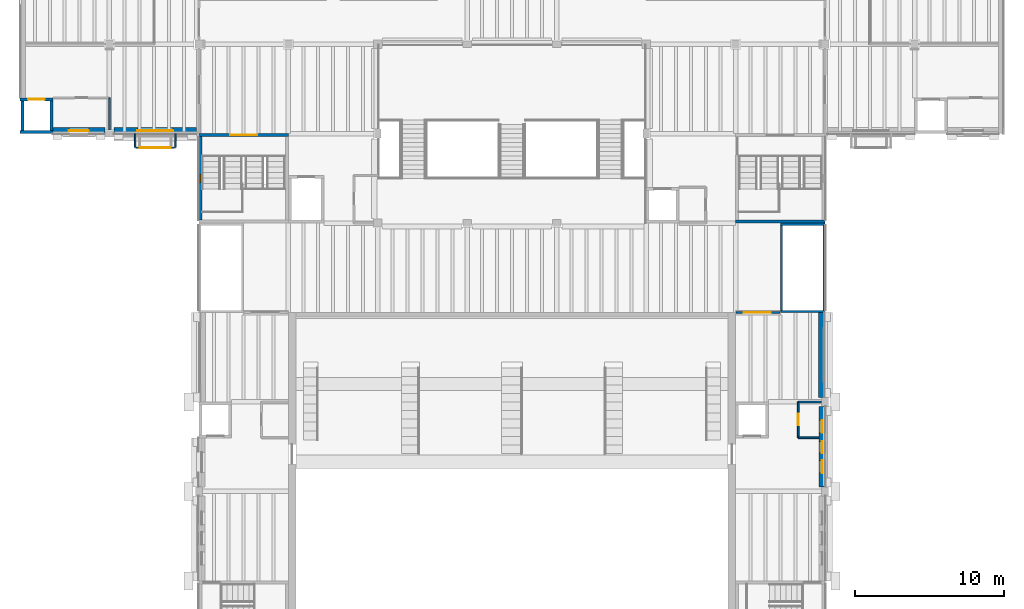
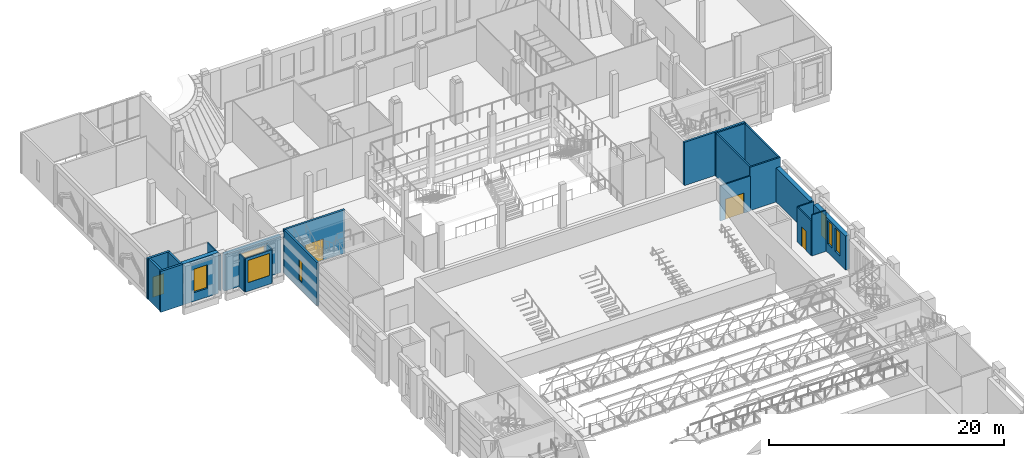
# One storey, part 30 of 70: 23 walls, 7 windows, 4 doors, 11 openings.
"""IFC4 building model written with IfcOpenShell, lengths in metres."""

from ifc_helpers import new_model, si_unit, direction, frame, frame_2d, origin, place, context, subcontext, project, spatial, rectangle, extrude, material, layer, layer_set, type_object, element, fill, save


model = new_model("IFC4")

# Units and contexts
model_context = context("Model", 3, precision=1e-05, world=origin(), true_north=direction((0.0, 1.0)))
body_context = subcontext(model_context, "Body", "Model", "MODEL_VIEW")
ifc_project = project(units=[si_unit("LENGTHUNIT", "METRE"), si_unit("AREAUNIT", "SQUARE_METRE"), si_unit("VOLUMEUNIT", "CUBIC_METRE"), si_unit("PLANEANGLEUNIT", "RADIAN"), si_unit("MASSUNIT", "GRAM", prefix="KILO")], contexts=[model_context])

# Site, building, storey
site_placement = place(None, origin())
site = spatial("IfcSite", under=ifc_project, at=site_placement, CompositionType="ELEMENT")
building_placement = place(site_placement, origin())
building = spatial("IfcBuilding", under=site, at=building_placement, Name="Saffron Lane Theatres", CompositionType="ELEMENT")
storey_placement = place(building_placement, frame((0.0, 0.0, 12.0)))
storey = spatial("IfcBuildingStorey", under=building, at=storey_placement, Name="L02", CompositionType="ELEMENT", Elevation=12.0)

# Walls
ifc_material_1 = material(Name="Timber hardwood", Category="wood")
ifc_layer_1 = layer(ifc_material_1, 0.10009765625)
ifc_layer_set_1 = layer_set([ifc_layer_1], Name="Timber hardwood")
wall_type_1 = type_object("IfcWallType", Name="EX-CUMBA PANEL 100", PredefinedType="SOLIDWALL", material=ifc_layer_set_1)
for number, where, z_axis, x_axis, name in (
    (1, (10.425048828125, 102.0, 0.0), (0.0, 0.0, 1.0), (0.0, -1.0, 0.0), "Cumba bay 3 side"),
    (2, (7.72509765625, 102.0, 0.0), (0.0, 0.0, 1.0), (0.0, -1.0, 0.0), "Cumba bay 3 side"),
):
    element("IfcWall", number, at=place(storey_placement, frame(where, z_axis=z_axis, x_axis=x_axis)), inside=storey, type_object=wall_type_1, Name=name, PredefinedType="SOLIDWALL", context=body_context, shape_type="SweptSolid", body=[
        extrude(rectangle(XDim=0.89990234375, YDim=0.10009765625, at=frame_2d((0.449951171875, 0.0))), origin(), (0.0, 0.0, 1.0), 3.5),
    ])

# Wall, opening, window
wall_1_placement = place(storey_placement, frame((10.375, 101.050048828125, 0.0), z_axis=(0.0, 0.0, 1.0), x_axis=(-1.0, 0.0, 0.0)))
wall_1 = element("IfcWall", 3, at=wall_1_placement, inside=storey, type_object=wall_type_1, Name="Cumba bay 3 front", PredefinedType="SOLIDWALL", context=body_context, shape_type="SweptSolid", body=[
    extrude(rectangle(XDim=2.60009765625, YDim=0.10009765625, at=frame_2d((1.300048828125, 0.0))), origin(), (0.0, 0.0, 1.0), 3.5),
])
opening_1_placement = place(wall_1_placement, frame((0.25, 0.0, 0.89990234375)))
opening_1 = element("IfcOpeningElement", 4, at=opening_1_placement, cuts=wall_1, Name="Opening WN02-038", PredefinedType="OPENING", context=body_context, shape_type="SweptSolid", body=[
    extrude(rectangle(XDim=2.10009765625, YDim=2.300048828125, at=frame_2d((1.050048828125, 1.14990234375))), frame((0.0, 0.06005859375, 0.0), z_axis=(0.0, -1.0, 0.0), x_axis=(1.0, 0.0, 0.0)), (0.0, 0.0, 1.0), 0.1201171875),
])
ifc_material_2 = material(Name="Aluminium", Category="aluminium")
window_type_1 = type_object("IfcWindowType", Name="EX-WINDOW 2100x2300", PartitioningType="TRIPLE_PANEL_VERTICAL", PredefinedType="WINDOW", material=ifc_material_2)
window_1_placement = place(opening_1_placement, origin())
window_1 = element("IfcWindow", 5, at=window_1_placement, inside=storey, type_object=window_type_1, Name="Window L02 CB3 front", OverallHeight=2.300048828125, OverallWidth=2.10009765625, PartitioningType="SINGLE_PANEL", PredefinedType="WINDOW", context=body_context, shape_type="SweptSolid", body=[
    extrude(rectangle(XDim=2.10009765625, YDim=2.300048828125, at=frame_2d((1.050048828125, 1.14990234375))), frame((0.0, 0.030029296875, 0.0), z_axis=(0.0, -1.0, 0.0), x_axis=(1.0, 0.0, 0.0)), (0.0, 0.0, 1.0), 0.06005859375),
])
fill(opening_1, window_1)

ifc_material_3 = material(Name="Masonry pale clay brick", Category="masonry")
ifc_layer_2 = layer(ifc_material_3, 0.11, Name="facing leaf")
ifc_material_4 = material(Name="Air cavity", Category="air")
ifc_layer_3 = layer(ifc_material_4, 0.05, ventilated=True, Name="cavity")
ifc_material_5 = material(Name="Mineral wool insulation")
ifc_layer_4 = layer(ifc_material_5, 0.06, Name="insulation")
ifc_material_6 = material(Name="Concrete N40 (40 MPa)", Category="concrete")
ifc_layer_5 = layer(ifc_material_6, 0.18, Name="inner leaf")
ifc_layer_set_2 = layer_set([ifc_layer_2, ifc_layer_3, ifc_layer_4, ifc_layer_5], Name="Masonry pale clay brick")
wall_type_2 = type_object("IfcWallType", Name="EX-WALL BRICK 400", PredefinedType="SOLIDWALL", material=ifc_layer_set_2)
wall_2_placement = place(storey_placement, frame((11.85009765625, 102.199951171875, 0.0), z_axis=(0.0, 0.0, 1.0), x_axis=(-1.0, 0.0, 0.0)))
wall_2 = element("IfcWall", 6, at=wall_2_placement, inside=storey, type_object=wall_type_2, Name="External wall L02 07", PredefinedType="SOLIDWALL", context=body_context, shape_type="SweptSolid", body=[
    extrude(rectangle(XDim=5.550048828125, YDim=0.39990234375, at=frame_2d((2.77490234375, 0.0))), origin(), (0.0, 0.0, 1.0), 3.800048828125),
])
opening_2_placement = place(wall_2_placement, frame((1.574951171875, 0.0, 0.89990234375)))
opening_2 = element("IfcOpeningElement", 7, at=opening_2_placement, cuts=wall_2, Name="Opening WN02-037", PredefinedType="OPENING", context=body_context, shape_type="SweptSolid", body=[
    extrude(rectangle(XDim=2.39990234375, YDim=2.449951171875, at=frame_2d((1.199951171875, 1.22509765625))), frame((0.0, 0.2099609375, 0.0), z_axis=(0.0, -1.0, 0.0), x_axis=(1.0, 0.0, 0.0)), (0.0, 0.0, 1.0), 0.419921875),
])
ifc_material_7 = material(Name="Aluminium", Category="aluminium")
window_type_2 = type_object("IfcWindowType", Name="EX-WINDOW 2400x2450", PartitioningType="TRIPLE_PANEL_VERTICAL", PredefinedType="WINDOW", material=ifc_material_7)
window_2_placement = place(opening_2_placement, origin())
window_2 = element("IfcWindow", 8, at=window_2_placement, inside=storey, type_object=window_type_2, Name="Window L02 CB3", OverallHeight=2.449951171875, OverallWidth=2.39990234375, PartitioningType="SINGLE_PANEL", PredefinedType="WINDOW", context=body_context, shape_type="SweptSolid", body=[
    extrude(rectangle(XDim=2.39990234375, YDim=2.449951171875, at=frame_2d((1.199951171875, 1.22509765625))), frame((0.0, 0.030029296875, 0.0), z_axis=(0.0, -1.0, 0.0), x_axis=(1.0, 0.0, 0.0)), (0.0, 0.0, 1.0), 0.06005859375),
])
fill(opening_2, window_2)

wall_3_placement = place(storey_placement, frame((5.699951171875, 102.199951171875, 0.0), z_axis=(0.0, 0.0, 1.0), x_axis=(-1.0, 0.0, 0.0)))
wall_3 = element("IfcWall", 9, at=wall_3_placement, inside=storey, type_object=wall_type_2, Name="External wall L02 08", PredefinedType="SOLIDWALL", context=body_context, shape_type="SweptSolid", body=[
    extrude(rectangle(XDim=3.5, YDim=0.39990234375, at=frame_2d((1.75, 0.0))), origin(), (0.0, 0.0, 1.0), 4.25),
])
opening_3_placement = place(wall_3_placement, frame((1.074951171875, 0.0, 0.89990234375)))
opening_3 = element("IfcOpeningElement", 10, at=opening_3_placement, cuts=wall_3, Name="Opening WN02-008", PredefinedType="OPENING", context=body_context, shape_type="SweptSolid", body=[
    extrude(rectangle(XDim=1.35009765625, YDim=2.449951171875, at=frame_2d((0.675048828125, 1.22509765625))), frame((0.0, 0.2099609375, 0.0), z_axis=(0.0, -1.0, 0.0), x_axis=(1.0, 0.0, 0.0)), (0.0, 0.0, 1.0), 0.419921875),
])
ifc_material_8 = material(Name="Aluminium", Category="aluminium")
window_type_3 = type_object("IfcWindowType", Name="EX-WINDOW 1350x2450", PartitioningType="SINGLE_PANEL", PredefinedType="WINDOW", material=ifc_material_8)
window_3_placement = place(opening_3_placement, origin())
window_3 = element("IfcWindow", 11, at=window_3_placement, inside=storey, type_object=window_type_3, Name="Window L02 008", OverallHeight=2.449951171875, OverallWidth=1.35009765625, PartitioningType="SINGLE_PANEL", PredefinedType="WINDOW", context=body_context, shape_type="SweptSolid", body=[
    extrude(rectangle(XDim=1.35009765625, YDim=2.449951171875, at=frame_2d((0.675048828125, 1.22509765625))), frame((0.0, 0.030029296875, 0.0), z_axis=(0.0, -1.0, 0.0), x_axis=(1.0, 0.0, 0.0)), (0.0, 0.0, 1.0), 0.06005859375),
])
fill(opening_3, window_3)

# Wall
wall_4_placement = place(storey_placement, frame((53.75, 90.0, 0.0), z_axis=(0.0, 0.0, 1.0), x_axis=(0.0, -1.0, 0.0)))
element("IfcWall", 12, at=wall_4_placement, inside=storey, type_object=wall_type_2, Name="External wall L02 20", PredefinedType="SOLIDWALL", context=body_context, shape_type="SweptSolid", body=[
    extrude(rectangle(XDim=5.699951171875, YDim=0.39990234375, at=frame_2d((2.85009765625, 0.0))), origin(), (0.0, 0.0, 1.0), 3.550048828125),
])

# Wall, openings, windows
wall_5_placement = place(storey_placement, frame((53.800048828125, 83.699951171875, 0.0), z_axis=(0.0, 0.0, 1.0), x_axis=(0.0, -1.0, 0.0)))
wall_5 = element("IfcWall", 13, at=wall_5_placement, inside=storey, type_object=wall_type_2, Name="External wall L02 21", PredefinedType="SOLIDWALL", context=body_context, shape_type="SweptSolid", body=[
    extrude(rectangle(XDim=5.39990234375, YDim=0.39990234375, at=frame_2d((2.699951171875, 0.0))), origin(), (0.0, 0.0, 1.0), 3.550048828125),
])
opening_4_placement = place(wall_5_placement, frame((0.925048828125, 0.0, 0.89990234375)))
opening_4 = element("IfcOpeningElement", 14, at=opening_4_placement, cuts=wall_5, Name="Opening WN02-018", PredefinedType="OPENING", context=body_context, shape_type="SweptSolid", body=[
    extrude(rectangle(XDim=0.85009765625, YDim=2.449951171875, at=frame_2d((0.425048828125, 1.22509765625))), frame((0.0, 0.2099609375, 0.0), z_axis=(0.0, -1.0, 0.0), x_axis=(1.0, 0.0, 0.0)), (0.0, 0.0, 1.0), 0.419921875),
])
opening_5_placement = place(wall_5_placement, frame((2.35009765625, 0.0, 0.89990234375)))
opening_5 = element("IfcOpeningElement", 15, at=opening_5_placement, cuts=wall_5, Name="Opening WN02-019", PredefinedType="OPENING", context=body_context, shape_type="SweptSolid", body=[
    extrude(rectangle(XDim=0.77490234375, YDim=2.449951171875, at=frame_2d((0.387451171875, 1.22509765625))), frame((0.0, 0.2099609375, 0.0), z_axis=(0.0, -1.0, 0.0), x_axis=(1.0, 0.0, 0.0)), (0.0, 0.0, 1.0), 0.419921875),
])
opening_6_placement = place(wall_5_placement, frame((3.625, 0.0, 0.89990234375)))
opening_6 = element("IfcOpeningElement", 16, at=opening_6_placement, cuts=wall_5, Name="Opening WN02-020", PredefinedType="OPENING", context=body_context, shape_type="SweptSolid", body=[
    extrude(rectangle(XDim=0.85009765625, YDim=2.449951171875, at=frame_2d((0.425048828125, 1.22509765625))), frame((0.0, 0.2099609375, 0.0), z_axis=(0.0, -1.0, 0.0), x_axis=(1.0, 0.0, 0.0)), (0.0, 0.0, 1.0), 0.419921875),
])
ifc_material_9 = material(Name="Aluminium", Category="aluminium")
window_type_4 = type_object("IfcWindowType", Name="EX-WINDOW 775x2450", PartitioningType="SINGLE_PANEL", PredefinedType="WINDOW", material=ifc_material_9)
window_4_placement = place(opening_5_placement, origin())
window_4 = element("IfcWindow", 17, at=window_4_placement, inside=storey, type_object=window_type_4, Name="Window L02 019", OverallHeight=2.449951171875, OverallWidth=0.77490234375, PartitioningType="SINGLE_PANEL", PredefinedType="WINDOW", context=body_context, shape_type="SweptSolid", body=[
    extrude(rectangle(XDim=0.77490234375, YDim=2.449951171875, at=frame_2d((0.387451171875, 1.22509765625))), frame((0.0, 0.030029296875, 0.0), z_axis=(0.0, -1.0, 0.0), x_axis=(1.0, 0.0, 0.0)), (0.0, 0.0, 1.0), 0.06005859375),
])
fill(opening_5, window_4)
ifc_material_10 = material(Name="Aluminium", Category="aluminium")
window_type_5 = type_object("IfcWindowType", Name="EX-WINDOW 850x2450", PartitioningType="SINGLE_PANEL", PredefinedType="WINDOW", material=ifc_material_10)
window_5_placement = place(opening_4_placement, origin())
window_5 = element("IfcWindow", 18, at=window_5_placement, inside=storey, type_object=window_type_5, Name="Window L02 018", OverallHeight=2.449951171875, OverallWidth=0.85009765625, PartitioningType="SINGLE_PANEL", PredefinedType="WINDOW", context=body_context, shape_type="SweptSolid", body=[
    extrude(rectangle(XDim=0.85009765625, YDim=2.449951171875, at=frame_2d((0.425048828125, 1.22509765625))), frame((0.0, 0.030029296875, 0.0), z_axis=(0.0, -1.0, 0.0), x_axis=(1.0, 0.0, 0.0)), (0.0, 0.0, 1.0), 0.06005859375),
])
fill(opening_4, window_5)
window_6_placement = place(opening_6_placement, origin())
window_6 = element("IfcWindow", 19, at=window_6_placement, inside=storey, type_object=window_type_5, Name="Window L02 020", OverallHeight=2.449951171875, OverallWidth=0.85009765625, PartitioningType="SINGLE_PANEL", PredefinedType="WINDOW", context=body_context, shape_type="SweptSolid", body=[
    extrude(rectangle(XDim=0.85009765625, YDim=2.449951171875, at=frame_2d((0.425048828125, 1.22509765625))), frame((0.0, 0.030029296875, 0.0), z_axis=(0.0, -1.0, 0.0), x_axis=(1.0, 0.0, 0.0)), (0.0, 0.0, 1.0), 0.06005859375),
])
fill(opening_6, window_6)

# Wall
ifc_material_11 = material(Name="Masonry block partition", Category="masonry")
ifc_layer_6 = layer(ifc_material_11, 0.110107421875)
ifc_layer_set_3 = layer_set([ifc_layer_6], Name="Masonry block partition")
wall_type_3 = type_object("IfcWallType", Name="IN-BLOCK PARTITION 110", PredefinedType="PARTITIONING", material=ifc_layer_set_3)
wall_6_placement = place(storey_placement, frame((52.199951171875, 84.0, 0.0), z_axis=(0.0, 0.0, 1.0), x_axis=(1.0, 0.0, 0.0)))
element("IfcWall", 20, at=wall_6_placement, inside=storey, type_object=wall_type_3, Name="PW-L02-013", PredefinedType="PARTITIONING", context=body_context, shape_type="SweptSolid", body=[
    extrude(rectangle(XDim=1.554931640625, YDim=0.110107421875, at=frame_2d((0.77734375, 0.0))), origin(), (0.0, 0.0, 1.0), 3.64990234375),
])

# Wall, opening, door
wall_7_placement = place(storey_placement, frame((52.199951171875, 81.60009765625, 0.0), z_axis=(0.0, 0.0, 1.0), x_axis=(0.0, 1.0, 0.0)))
wall_7 = element("IfcWall", 21, at=wall_7_placement, inside=storey, type_object=wall_type_3, Name="PW-L02-014", PredefinedType="PARTITIONING", context=body_context, shape_type="SweptSolid", body=[
    extrude(rectangle(XDim=2.39990234375, YDim=0.110107421875, at=frame_2d((1.199951171875, 0.0))), origin(), (0.0, 0.0, 1.0), 3.64990234375),
])
opening_7_placement = place(wall_7_placement, frame((0.85009765625, 0.0, 0.0)))
opening_7 = element("IfcOpeningElement", 22, at=opening_7_placement, cuts=wall_7, Name="Opening D02-36", PredefinedType="OPENING", context=body_context, shape_type="SweptSolid", body=[
    extrude(rectangle(XDim=0.75, YDim=2.0400390625, at=frame_2d((0.375, 1.02001953125))), frame((0.0, 0.06494140625, 0.0), z_axis=(0.0, -1.0, 0.0), x_axis=(1.0, 0.0, 0.0)), (0.0, 0.0, 1.0), 0.130126953125),
])
ifc_material_12 = material(Name="Steel faced fire door leaf", Category="steel")
door_type_1 = type_object("IfcDoorType", Name="IN-DOOR 750x2040 FD60", OperationType="NOTDEFINED", PredefinedType="DOOR", material=ifc_material_12)
door_1_placement = place(opening_7_placement, frame((0.75, 0.0, 0.0), z_axis=(0.0, 0.0, 1.0), x_axis=(-1.0, 0.0, 0.0)))
door_1 = element("IfcDoor", 23, at=door_1_placement, inside=storey, type_object=door_type_1, Name="D02-36", OperationType="SINGLE_SWING_RIGHT", OverallHeight=2.0400390625, OverallWidth=0.75, PredefinedType="DOOR", context=body_context, shape_type="SweptSolid", body=[
    extrude(rectangle(XDim=0.75, YDim=2.0400390625, at=frame_2d((0.375, 1.02001953125))), frame((0.0, 0.02490234375, 0.0), z_axis=(0.0, -1.0, 0.0), x_axis=(1.0, 0.0, 0.0)), (0.0, 0.0, 1.0), 0.050048828125),
])
fill(opening_7, door_1)

# Walls
wall_8_placement = place(storey_placement, frame((52.199951171875, 81.60009765625, 0.0), z_axis=(0.0, 0.0, 1.0), x_axis=(1.0, 0.0, 0.0)))
element("IfcWall", 24, at=wall_8_placement, inside=storey, type_object=wall_type_3, Name="PW-L02-015", PredefinedType="PARTITIONING", context=body_context, shape_type="SweptSolid", body=[
    extrude(rectangle(XDim=1.380126953125, YDim=0.110107421875, at=frame_2d((0.68994140625, 0.0))), origin(), (0.0, 0.0, 1.0), 4.25),
])
wall_9_placement = place(storey_placement, frame((6.0, 102.2451171875, 0.0), z_axis=(0.0, 0.0, 1.0), x_axis=(0.0, 1.0, 0.0)))
element("IfcWall", 25, at=wall_9_placement, inside=storey, type_object=wall_type_3, Name="PW-L02-016", PredefinedType="PARTITIONING", context=body_context, shape_type="SweptSolid", body=[
    extrude(rectangle(XDim=2.15478515625, YDim=0.110107421875, at=frame_2d((1.077392578125, 0.0))), origin(), (0.0, 0.0, 1.0), 3.75),
])

# Wall, opening, door
ifc_material_13 = material(Name="Masonry block partition", Category="masonry")
ifc_layer_7 = layer(ifc_material_13, 0.139892578125)
ifc_layer_set_4 = layer_set([ifc_layer_7], Name="Masonry block partition")
wall_type_4 = type_object("IfcWallType", Name="IN-BLOCK PARTITION 140", PredefinedType="PARTITIONING", material=ifc_layer_set_4)
wall_10_placement = place(storey_placement, frame((48.02001953125, 90.0, 0.0), z_axis=(0.0, 0.0, 1.0), x_axis=(1.0, 0.0, 0.0)))
wall_10 = element("IfcWall", 26, at=wall_10_placement, inside=storey, type_object=wall_type_4, Name="PW-L02-043", PredefinedType="PARTITIONING", context=body_context, shape_type="SweptSolid", body=[
    extrude(rectangle(XDim=2.9599609375, YDim=0.139892578125, at=frame_2d((1.47998046875, 0.0))), origin(), (0.0, 0.0, 1.0), 3.64990234375),
])
opening_8_placement = place(wall_10_placement, frame((0.530029296875, 0.0, 0.0)))
opening_8 = element("IfcOpeningElement", 27, at=opening_8_placement, cuts=wall_10, Name="Opening D02-49", PredefinedType="OPENING", context=body_context, shape_type="SweptSolid", body=[
    extrude(rectangle(XDim=1.800048828125, YDim=2.10009765625, at=frame_2d((0.89990234375, 1.050048828125))), frame((0.0, 0.080078125, 0.0), z_axis=(0.0, -1.0, 0.0), x_axis=(1.0, 0.0, 0.0)), (0.0, 0.0, 1.0), 0.159912109375),
])
ifc_material_14 = material(Name="Steel faced fire door leaf", Category="steel")
door_type_2 = type_object("IfcDoorType", Name="IN-DOOR 1800x2100 FD120", OperationType="DOUBLE_DOOR_SINGLE_SWING", PredefinedType="DOOR", material=ifc_material_14)
door_2_placement = place(opening_8_placement, frame((1.800048828125, 0.0, 0.0), z_axis=(0.0, 0.0, 1.0), x_axis=(-1.0, 0.0, 0.0)))
door_2 = element("IfcDoor", 28, at=door_2_placement, inside=storey, type_object=door_type_2, Name="D02-49", OperationType="DOUBLE_DOOR_SINGLE_SWING", OverallHeight=2.10009765625, OverallWidth=1.800048828125, PredefinedType="DOOR", context=body_context, shape_type="SweptSolid", body=[
    extrude(rectangle(XDim=1.800048828125, YDim=2.10009765625, at=frame_2d((0.89990234375, 1.050048828125))), frame((0.0, 0.02490234375, 0.0), z_axis=(0.0, -1.0, 0.0), x_axis=(1.0, 0.0, 0.0)), (0.0, 0.0, 1.0), 0.050048828125),
])
fill(opening_8, door_2)

# Walls
ifc_material_15 = material(Name="Concrete N50 (50 MPa)", Category="concrete")
ifc_layer_8 = layer(ifc_material_15, 0.14990234375)
ifc_layer_set_5 = layer_set([ifc_layer_8], Name="Concrete N50 (50 MPa)")
wall_type_5 = type_object("IfcWallType", Name="RC-CORE 150", PredefinedType="SHEAR", material=ifc_layer_set_5)
for number, where, z_axis, x_axis, name in (
    (29, (51.0, 95.925048828125, 0.0), (0.0, 0.0, 1.0), (1.0, 0.0, 0.0), "W-R2-N-L02"),
    (30, (51.0, 90.074951171875, 0.0), (0.0, 0.0, 1.0), (1.0, 0.0, 0.0), "W-R2-S-L02"),
):
    element("IfcWall", number, at=place(storey_placement, frame(where, z_axis=z_axis, x_axis=x_axis)), inside=storey, type_object=wall_type_5, Name=name, PredefinedType="SHEAR", context=body_context, shape_type="SweptSolid", body=[
        extrude(rectangle(XDim=3.0, YDim=0.14990234375, at=frame_2d((1.5, 0.0))), origin(), (0.0, 0.0, 1.0), 4.5),
    ])
wall_11_placement = place(storey_placement, frame((51.074951171875, 90.14990234375, 0.0), z_axis=(0.0, 0.0, 1.0), x_axis=(0.0, 1.0, 0.0)))
element("IfcWall", 31, at=wall_11_placement, inside=storey, type_object=wall_type_5, Name="W-R2-W-L02", PredefinedType="SHEAR", context=body_context, shape_type="SweptSolid", body=[
    extrude(rectangle(XDim=5.7001953125, YDim=0.14990234375, at=frame_2d((2.85009765625, 0.0))), origin(), (0.0, 0.0, 1.0), 4.5),
])

# Wall, opening, door
ifc_material_16 = material(Name="Concrete N50 (50 MPa)", Category="concrete")
ifc_layer_9 = layer(ifc_material_16, 0.199951171875)
ifc_layer_set_6 = layer_set([ifc_layer_9], Name="Concrete N50 (50 MPa)")
wall_type_6 = type_object("IfcWallType", Name="RC-CORE 200", PredefinedType="SHEAR", material=ifc_layer_set_6)
wall_12_placement = place(storey_placement, frame((12.0, 101.89990234375, 0.0), z_axis=(0.0, 0.0, 1.0), x_axis=(1.0, 0.0, 0.0)))
wall_12 = element("IfcWall", 32, at=wall_12_placement, inside=storey, type_object=wall_type_6, Name="W-ST1-N-L02", PredefinedType="SHEAR", context=body_context, shape_type="SweptSolid", body=[
    extrude(rectangle(XDim=6.0, YDim=0.199951171875, at=frame_2d((3.0, 0.0))), origin(), (0.0, 0.0, 1.0), 4.5),
])
opening_9_placement = place(wall_12_placement, frame((2.10009765625, 0.0, 0.0)))
opening_9 = element("IfcOpeningElement", 33, at=opening_9_placement, cuts=wall_12, Name="Opening D02-15", PredefinedType="OPENING", context=body_context, shape_type="SweptSolid", body=[
    extrude(rectangle(XDim=1.800048828125, YDim=2.199951171875, at=frame_2d((0.89990234375, 1.10009765625))), frame((0.0, 0.10986328125, 0.0), z_axis=(0.0, -1.0, 0.0), x_axis=(1.0, 0.0, 0.0)), (0.0, 0.0, 1.0), 0.219970703125),
])
ifc_material_17 = material(Name="Steel faced fire door leaf", Category="steel")
door_type_3 = type_object("IfcDoorType", Name="IN-DOOR 1800x2200 FD120", OperationType="DOUBLE_DOOR_SINGLE_SWING", PredefinedType="DOOR", material=ifc_material_17)
door_3_placement = place(opening_9_placement, frame((1.800048828125, 0.0, 0.0), z_axis=(0.0, 0.0, 1.0), x_axis=(-1.0, 0.0, 0.0)))
door_3 = element("IfcDoor", 34, at=door_3_placement, inside=storey, type_object=door_type_3, Name="D02-15", OperationType="DOUBLE_DOOR_SINGLE_SWING", OverallHeight=2.199951171875, OverallWidth=1.800048828125, PredefinedType="DOOR", context=body_context, shape_type="SweptSolid", body=[
    extrude(rectangle(XDim=1.800048828125, YDim=2.199951171875, at=frame_2d((0.89990234375, 1.10009765625))), frame((0.0, 0.02490234375, 0.0), z_axis=(0.0, -1.0, 0.0), x_axis=(1.0, 0.0, 0.0)), (0.0, 0.0, 1.0), 0.050048828125),
])
fill(opening_9, door_3)

# Wall
wall_13_placement = place(storey_placement, frame((48.0, 96.10009765625, 0.0), z_axis=(0.0, 0.0, 1.0), x_axis=(1.0, 0.0, 0.0)))
element("IfcWall", 35, at=wall_13_placement, inside=storey, type_object=wall_type_6, Name="W-ST2-S-L02", PredefinedType="SHEAR", context=body_context, shape_type="SweptSolid", body=[
    extrude(rectangle(XDim=6.0, YDim=0.199951171875, at=frame_2d((3.0, 0.0))), origin(), (0.0, 0.0, 1.0), 4.5),
])

# Wall, opening, door
wall_14_placement = place(storey_placement, frame((0.0, 104.300048828125, 0.0), z_axis=(0.0, 0.0, 1.0), x_axis=(1.0, 0.0, 0.0)))
wall_14 = element("IfcWall", 36, at=wall_14_placement, inside=storey, type_object=wall_type_6, Name="W-LC7-N-L02", PredefinedType="SHEAR", context=body_context, shape_type="SweptSolid", body=[
    extrude(rectangle(XDim=2.199951171875, YDim=0.199951171875, at=frame_2d((1.10009765625, 0.0))), origin(), (0.0, 0.0, 1.0), 4.25),
])
opening_10_placement = place(wall_14_placement, frame((0.550048828125, 0.0, 0.0)))
opening_10 = element("IfcOpeningElement", 37, at=opening_10_placement, cuts=wall_14, Name="Opening LD25", PredefinedType="OPENING", context=body_context, shape_type="SweptSolid", body=[
    extrude(rectangle(XDim=1.10009765625, YDim=2.10009765625, at=frame_2d((0.550048828125, 1.050048828125))), frame((0.0, 0.10986328125, 0.0), z_axis=(0.0, -1.0, 0.0), x_axis=(1.0, 0.0, 0.0)), (0.0, 0.0, 1.0), 0.219970703125),
])
ifc_material_18 = material(Name="Stainless steel 316", Category="steel")
door_type_4 = type_object("IfcDoorType", Name="VC-LANDING DOOR 1100x2100", OperationType="DOUBLE_DOOR_SLIDING", PredefinedType="DOOR", material=ifc_material_18)
door_4_placement = place(opening_10_placement, origin())
door_4 = element("IfcDoor", 38, at=door_4_placement, inside=storey, type_object=door_type_4, Name="Landing doors LC7 L02", OperationType="DOUBLE_DOOR_SLIDING", OverallHeight=2.10009765625, OverallWidth=1.10009765625, PredefinedType="DOOR", context=body_context, shape_type="SweptSolid", body=[
    extrude(rectangle(XDim=1.10009765625, YDim=2.10009765625, at=frame_2d((0.550048828125, 1.050048828125))), frame((0.0, 0.02490234375, 0.0), z_axis=(0.0, -1.0, 0.0), x_axis=(1.0, 0.0, 0.0)), (0.0, 0.0, 1.0), 0.050048828125),
])
fill(opening_10, door_4)

# Walls
wall_15_placement = place(storey_placement, frame((2.10009765625, 102.199951171875, 0.0), z_axis=(0.0, 0.0, 1.0), x_axis=(0.0, 1.0, 0.0)))
element("IfcWall", 39, at=wall_15_placement, inside=storey, type_object=wall_type_6, Name="W-LC7-E-L02", PredefinedType="SHEAR", context=body_context, shape_type="SweptSolid", body=[
    extrude(rectangle(XDim=2.0, YDim=0.199951171875, at=frame_2d((1.0, 0.0))), origin(), (0.0, 0.0, 1.0), 4.25),
])
ifc_material_19 = material(Name="Concrete N50 (50 MPa)", Category="concrete")
ifc_layer_10 = layer(ifc_material_19, 0.14990234375)
ifc_layer_set_7 = layer_set([ifc_layer_10], Name="Concrete N50 (50 MPa)")
wall_type_7 = type_object("IfcWallType", Name="RC-CORE EXTERNAL 150", PredefinedType="SHEAR", material=ifc_layer_set_7)
wall_16_placement = place(storey_placement, frame((53.925048828125, 90.14990234375, 0.0), z_axis=(0.0, 0.0, 1.0), x_axis=(0.0, 1.0, 0.0)))
element("IfcWall", 40, at=wall_16_placement, inside=storey, type_object=wall_type_7, Name="W-R2-E-L02", PredefinedType="SHEAR", context=body_context, shape_type="SweptSolid", body=[
    extrude(rectangle(XDim=5.7001953125, YDim=0.14990234375, at=frame_2d((2.85009765625, 0.0))), origin(), (0.0, 0.0, 1.0), 4.5),
])

# Wall, opening, window
ifc_material_20 = material(Name="Concrete N50 (50 MPa)", Category="concrete")
ifc_layer_11 = layer(ifc_material_20, 0.199951171875)
ifc_layer_set_8 = layer_set([ifc_layer_11], Name="Concrete N50 (50 MPa)")
wall_type_8 = type_object("IfcWallType", Name="RC-CORE EXTERNAL 200", PredefinedType="SHEAR", material=ifc_layer_set_8)
wall_17_placement = place(storey_placement, frame((12.10009765625, 96.199951171875, 0.0), z_axis=(0.0, 0.0, 1.0), x_axis=(0.0, 1.0, 0.0)))
wall_17 = element("IfcWall", 41, at=wall_17_placement, inside=storey, type_object=wall_type_8, Name="W-ST1-W-L02", PredefinedType="SHEAR", context=body_context, shape_type="SweptSolid", body=[
    extrude(rectangle(XDim=5.60009765625, YDim=0.199951171875, at=frame_2d((2.800048828125, 0.0))), origin(), (0.0, 0.0, 1.0), 4.5),
])
opening_11_placement = place(wall_17_placement, frame((2.550048828125, 0.0, 0.89990234375)))
opening_11 = element("IfcOpeningElement", 42, at=opening_11_placement, cuts=wall_17, Name="Opening WN02-027", PredefinedType="OPENING", context=body_context, shape_type="SweptSolid", body=[
    extrude(rectangle(XDim=0.5, YDim=2.10009765625, at=frame_2d((0.25, 1.050048828125))), frame((0.0, 0.10986328125, 0.0), z_axis=(0.0, -1.0, 0.0), x_axis=(1.0, 0.0, 0.0)), (0.0, 0.0, 1.0), 0.219970703125),
])
ifc_material_21 = material(Name="Aluminium", Category="aluminium")
window_type_6 = type_object("IfcWindowType", Name="EX-WINDOW 500x2100", PartitioningType="SINGLE_PANEL", PredefinedType="WINDOW", material=ifc_material_21)
window_7_placement = place(opening_11_placement, origin())
window_7 = element("IfcWindow", 43, at=window_7_placement, inside=storey, type_object=window_type_6, Name="Stair light ST1 L02", OverallHeight=2.10009765625, OverallWidth=0.5, PartitioningType="SINGLE_PANEL", PredefinedType="WINDOW", context=body_context, shape_type="SweptSolid", body=[
    extrude(rectangle(XDim=0.5, YDim=2.10009765625, at=frame_2d((0.25, 1.050048828125))), frame((0.0, 0.030029296875, 0.0), z_axis=(0.0, -1.0, 0.0), x_axis=(1.0, 0.0, 0.0)), (0.0, 0.0, 1.0), 0.06005859375),
])
fill(opening_11, window_7)

# Walls
wall_18_placement = place(storey_placement, frame((0.0, 102.10009765625, 0.0), z_axis=(0.0, 0.0, 1.0), x_axis=(1.0, 0.0, 0.0)))
element("IfcWall", 44, at=wall_18_placement, inside=storey, type_object=wall_type_8, Name="W-LC7-S-L02", PredefinedType="SHEAR", context=body_context, shape_type="SweptSolid", body=[
    extrude(rectangle(XDim=2.199951171875, YDim=0.199951171875, at=frame_2d((1.10009765625, 0.0))), origin(), (0.0, 0.0, 1.0), 4.25),
])
wall_19_placement = place(storey_placement, frame((0.159912109375, 102.199951171875, 0.0), z_axis=(0.0, 0.0, 1.0), x_axis=(0.0, 1.0, 0.0)))
element("IfcWall", 45, at=wall_19_placement, inside=storey, type_object=wall_type_8, Name="W-LC7-W-L02", PredefinedType="SHEAR", context=body_context, shape_type="SweptSolid", body=[
    extrude(rectangle(XDim=2.0, YDim=0.199951171875, at=frame_2d((1.0, 0.0))), origin(), (0.0, 0.0, 1.0), 4.25),
])

save(model, "model.ifc")
